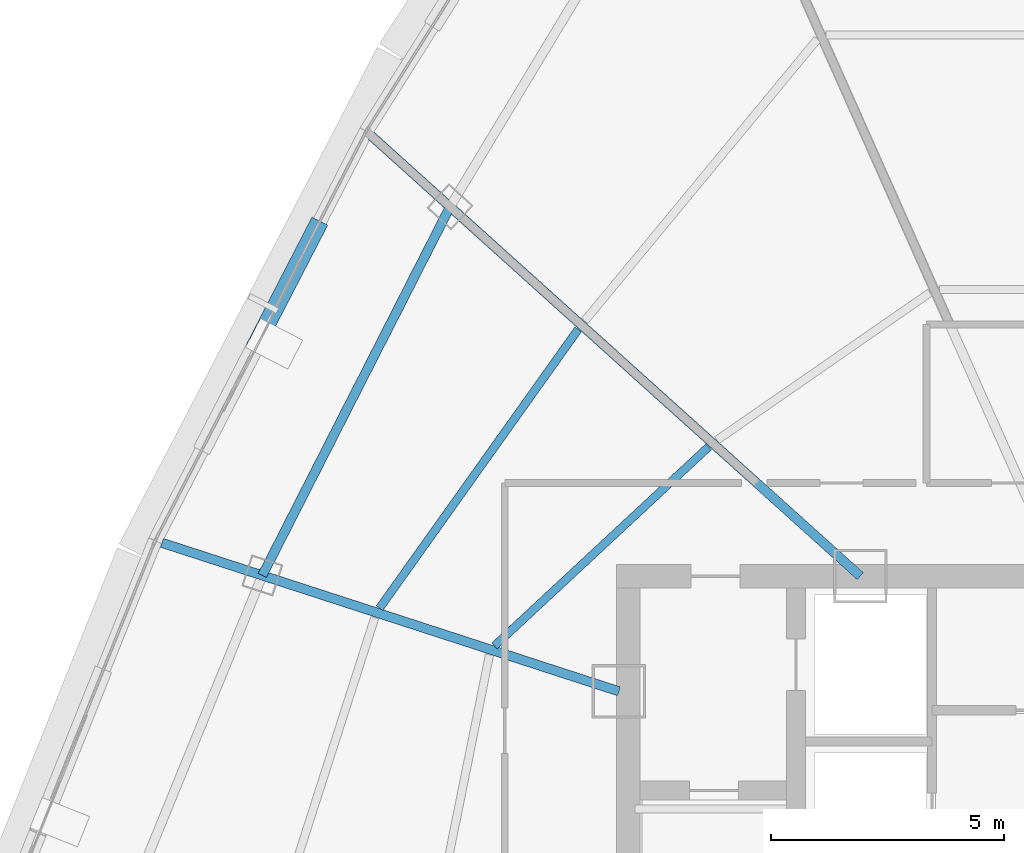
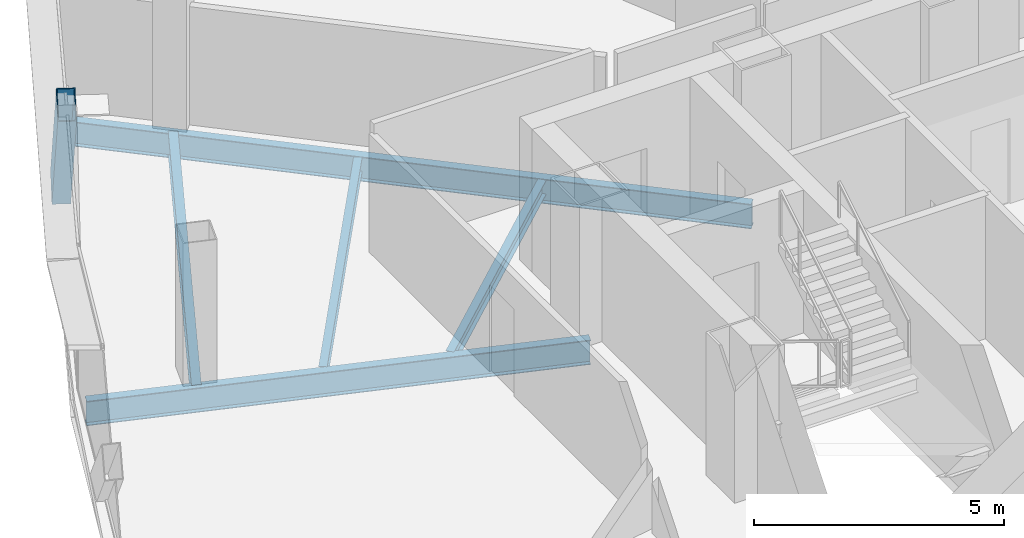
# One storey, part 8 of 30: 5 beams, 1 member.
"""IFC4 building model written with IfcOpenShell, lengths in metres."""

from ifc_helpers import new_model, si_unit, direction, frame, origin, origin_2d, place, context, subcontext, project, spatial, hollow_rectangle, i_section, extrude, source, transform, mapped, material, material_profile, profile_set, type_object, element, save


model = new_model("IFC4")

# Units and contexts
model_context = context("Model", 3, precision=1e-05, world=origin(), true_north=direction((0.0, 1.0)))
body_context = subcontext(model_context, "Body", "Model", "MODEL_VIEW")
ifc_project = project(units=[si_unit("LENGTHUNIT", "METRE"), si_unit("AREAUNIT", "SQUARE_METRE"), si_unit("VOLUMEUNIT", "CUBIC_METRE"), si_unit("PLANEANGLEUNIT", "RADIAN"), si_unit("MASSUNIT", "GRAM", prefix="KILO"), si_unit("THERMODYNAMICTEMPERATUREUNIT", "KELVIN"), si_unit("POWERUNIT", "WATT")], contexts=[model_context])

# Site, building, storey
site_placement = place(None, origin())
site = spatial("IfcSite", under=ifc_project, at=site_placement, CompositionType="ELEMENT")
building_placement = place(site_placement, origin())
building = spatial("IfcBuilding", under=site, at=building_placement, Name="Yunzhuo Pagoda Commons", CompositionType="ELEMENT")
storey_placement = place(building_placement, frame((0.0, 0.0, 355.510009765625)))
storey = spatial("IfcBuildingStorey", under=building, at=storey_placement, Name="L89", CompositionType="ELEMENT", Elevation=355.510009765625)

# Beams
ifc_material = material(Name="Structural steel Q355B", Category="steel")
ifc_material_profile_1 = material_profile(ifc_material, i_section(OverallWidth=0.199951171875, OverallDepth=0.60009765625, WebThickness=0.010986328125, FlangeThickness=0.01708984375, at=origin_2d()), Name="Structural steel Q355B")
ifc_profile_set_1 = profile_set([ifc_material_profile_1], Name="Structural steel Q355B")
beam_type_1 = type_object("IfcBeamType", Name="B-RG3 Beam HN 600x200x11x17", PredefinedType="BEAM", material=ifc_profile_set_1)
shared_shape_1 = source(origin(), body_context, "Body", "SweptSolid", [
    extrude(i_section(OverallWidth=0.199951171875, OverallDepth=0.60009765625, WebThickness=0.010986328125, FlangeThickness=0.01708984375, at=origin_2d()), origin(), (0.0, 0.0, 1.0), 8.87939453125),
])
beam_1_placement = place(storey_placement, frame((31.975341796875, 48.128662109375, -0.56005859375), z_axis=(-0.453723535687, -0.891142498798, 0.0), x_axis=(0.891142498798, -0.453723535687, 0.0)))
element("IfcBeam", 1, at=beam_1_placement, inside=storey, type_object=beam_type_1, Name="L89 column-ring beam 10", PredefinedType="BEAM", context=body_context, shape_type="MappedRepresentation", body=[
    mapped(shared_shape_1, transform((0.0, 0.0, 0.0), scale=1.0)),
])
ifc_material_profile_2 = material_profile(ifc_material, i_section(OverallWidth=0.175048828125, OverallDepth=0.35009765625, WebThickness=0.007080078125, FlangeThickness=0.010986328125, at=origin_2d()), Name="Structural steel Q355B")
ifc_profile_set_2 = profile_set([ifc_material_profile_2], Name="Structural steel Q355B")
beam_type_2 = type_object("IfcBeamType", Name="B-JS2 Joist HN 350x175x7x11", PredefinedType="JOIST", material=ifc_profile_set_2)
shared_shape_2 = source(origin(), body_context, "Body", "SweptSolid", [
    extrude(i_section(OverallWidth=0.175048828125, OverallDepth=0.35009765625, WebThickness=0.007080078125, FlangeThickness=0.010986328125, at=origin_2d()), origin(), (0.0, 0.0, 1.0), 6.277099609375),
])
beam_2_placement = place(storey_placement, frame((37.526611328125, 42.97607421875, -0.43505859375), z_axis=(-0.73244154109, -0.68082992655, 0.0), x_axis=(0.68082992655, -0.73244154109, 0.0)))
element("IfcBeam", 2, at=beam_2_placement, inside=storey, type_object=beam_type_2, Name="L89 composite ring joist 1.10", PredefinedType="JOIST", context=body_context, shape_type="MappedRepresentation", body=[
    mapped(shared_shape_2, transform((0.0, 0.0, 0.0), scale=1.0)),
])
shared_shape_3 = source(origin(), body_context, "Body", "SweptSolid", [
    extrude(i_section(OverallWidth=0.175048828125, OverallDepth=0.35009765625, WebThickness=0.007080078125, FlangeThickness=0.010986328125, at=origin_2d()), origin(), (0.0, 0.0, 1.0), 7.347900390625),
])
beam_3_placement = place(storey_placement, frame((34.726318359375, 45.497802734375, -0.43505859375), z_axis=(-0.580294898948, -0.814406428177, 0.0), x_axis=(0.814406428177, -0.580294898948, 0.0)))
element("IfcBeam", 3, at=beam_3_placement, inside=storey, type_object=beam_type_2, Name="L89 composite ring joist 2.10", PredefinedType="JOIST", context=body_context, shape_type="MappedRepresentation", body=[
    mapped(shared_shape_3, transform((0.0, 0.0, 0.0), scale=1.0)),
])
shared_shape_4 = source(origin(), body_context, "Body", "SweptSolid", [
    extrude(i_section(OverallWidth=0.199951171875, OverallDepth=0.60009765625, WebThickness=0.010986328125, FlangeThickness=0.01708984375, at=origin_2d()), origin(), (0.0, 0.0, 1.0), 10.31103515625),
])
beam_4_placement = place(storey_placement, frame((25.793701171875, 40.915283203125, -0.56005859375), z_axis=(0.951056860321, -0.30901593557, 0.0), x_axis=(0.30901593557, 0.951056860321, 0.0)))
element("IfcBeam", 4, at=beam_4_placement, inside=storey, type_object=beam_type_1, Name="L89 radial floor girder F3C3", PredefinedType="BEAM", context=body_context, shape_type="MappedRepresentation", body=[
    mapped(shared_shape_4, transform((0.0, 0.0, 0.0), scale=1.0)),
])
shared_shape_5 = source(origin(), body_context, "Body", "SweptSolid", [
    extrude(i_section(OverallWidth=0.199951171875, OverallDepth=0.60009765625, WebThickness=0.010986328125, FlangeThickness=0.01708984375, at=origin_2d()), origin(), (0.0, 0.0, 1.0), 14.115966796875),
])
beam_5_placement = place(storey_placement, frame((30.291015625, 49.6455078125, -0.56005859375), z_axis=(0.743133305814, -0.66914340002, 0.0), x_axis=(0.66914340002, 0.743133305814, 0.0)))
element("IfcBeam", 5, at=beam_5_placement, inside=storey, type_object=beam_type_1, Name="L89 radial floor girder F3C2", PredefinedType="BEAM", context=body_context, shape_type="MappedRepresentation", body=[
    mapped(shared_shape_5, transform((0.0, 0.0, 0.0), scale=1.0)),
])

# Member
ifc_material_profile_3 = material_profile(ifc_material, hollow_rectangle(XDim=0.3798828125, YDim=0.719970703125, WallThickness=0.02001953125, at=origin_2d()), Name="Structural steel Q355B")
ifc_profile_set_3 = profile_set([ifc_material_profile_3], Name="Structural steel Q355B")
member_type = type_object("IfcMemberType", Name="M-DL3 Brace BOX 720x380x20", PredefinedType="BRACE", material=ifc_profile_set_3)
shared_shape_6 = source(origin(), body_context, "Body", "SweptSolid", [
    extrude(hollow_rectangle(XDim=0.3798828125, YDim=0.719970703125, WallThickness=0.02001953125, at=origin_2d()), origin(), (0.0, 0.0, 1.0), 4.490966796875),
])
member_placement = place(storey_placement, frame((29.043212890625, 47.552734375, -0.260009765625), z_axis=(-0.252129772471, -0.489092618138, 0.834996400422), x_axis=(0.888846548799, -0.458204989811, 0.0)))
element("IfcMember", 6, at=member_placement, inside=storey, type_object=member_type, Name="L89 facade diamond brace F3.2L", PredefinedType="BRACE", context=body_context, shape_type="MappedRepresentation", body=[
    mapped(shared_shape_6, transform((0.0, 0.0, 0.0), scale=1.0)),
])

save(model, "model.ifc")
